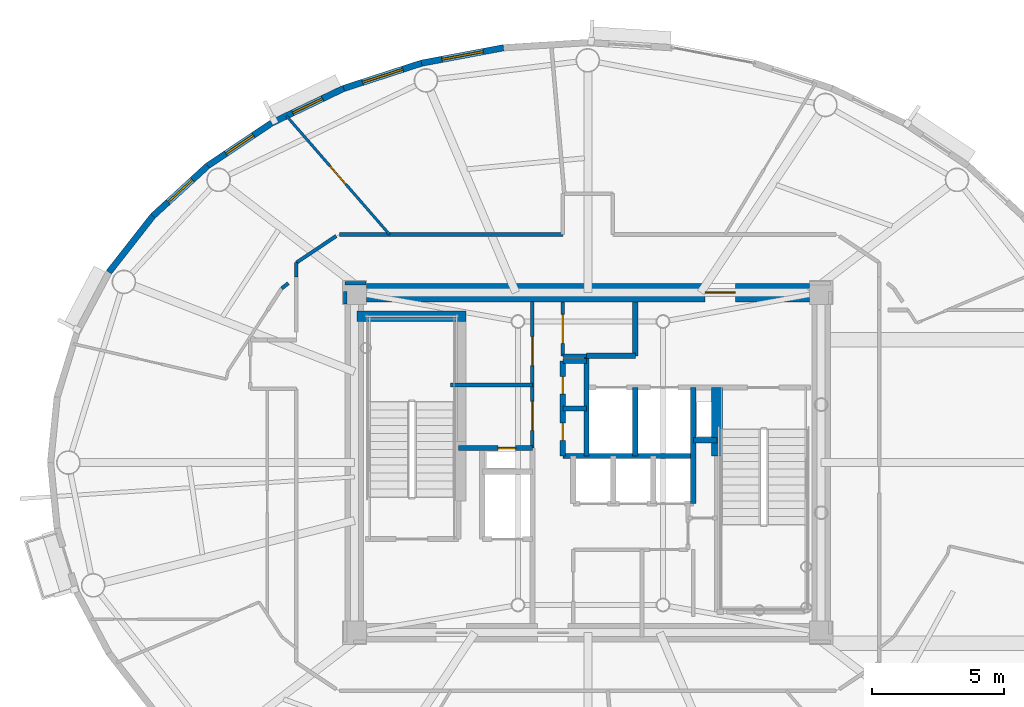
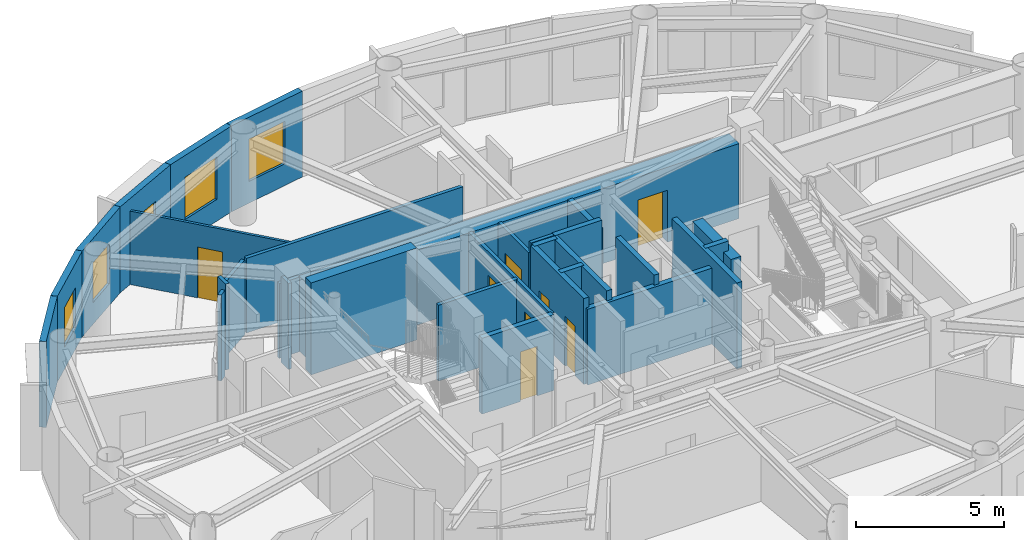
# One storey, part 10 of 19: 31 walls, 8 doors, 5 windows, 13 openings.
"""IFC4 building model written with IfcOpenShell, lengths in metres."""

from ifc_helpers import new_model, si_unit, direction, frame, frame_2d, origin, origin_2d, place, context, subcontext, project, spatial, rectangle, extrude, source, transform, mapped, material, layer, layer_set, type_object, element, fill, save


model = new_model("IFC4")

# Units and contexts
model_context = context("Model", 3, precision=1e-05, world=origin(), true_north=direction((0.0, 1.0)))
body_context = subcontext(model_context, "Body", "Model", "MODEL_VIEW")
ifc_project = project(units=[si_unit("LENGTHUNIT", "METRE"), si_unit("AREAUNIT", "SQUARE_METRE"), si_unit("VOLUMEUNIT", "CUBIC_METRE"), si_unit("PLANEANGLEUNIT", "RADIAN"), si_unit("MASSUNIT", "GRAM", prefix="KILO")], contexts=[model_context])

# Site, building, storey
site_placement = place(None, origin())
site = spatial("IfcSite", under=ifc_project, at=site_placement, CompositionType="ELEMENT")
building_placement = place(site_placement, origin())
building = spatial("IfcBuilding", under=site, at=building_placement, Name="Linh Dai School and Residence Tower", CompositionType="ELEMENT")
storey_placement = place(building_placement, frame((0.0, 0.0, 339.199951171875)))
storey = spatial("IfcBuildingStorey", under=building, at=storey_placement, Name="L84", CompositionType="ELEMENT", Elevation=339.199951171875)

# Wall, opening, window
ifc_material_1 = material(Name="Precast Concrete B45 (C35/45)", Category="concrete")
ifc_layer_1 = layer(ifc_material_1, 0.239990234375)
ifc_layer_set_1 = layer_set([ifc_layer_1], Name="Precast Concrete B45 (C35/45)")
wall_type_1 = type_object("IfcWallType", Name="EW-TC-240", PredefinedType="SOLIDWALL", material=ifc_layer_set_1)
wall_1_placement = place(storey_placement, frame((29.696044921875, 42.14794921875, 0.0), z_axis=(0.0, 0.0, 1.0), x_axis=(0.98276643264, 0.184851667226, 0.0)))
wall_1 = element("IfcWall", 1, at=wall_1_placement, inside=storey, type_object=wall_type_1, Name="L84 Terracotta Exterior Wall 12", PredefinedType="SOLIDWALL", context=body_context, shape_type="SweptSolid", body=[
    extrude(rectangle(XDim=3.167236328125, YDim=0.239990234375, at=frame_2d((1.58349609375, 0.0))), origin(), (0.0, 0.0, 1.0), 3.550048828125),
])
opening_1_placement = place(wall_1_placement, frame((0.78369140625, 0.0, 0.89990234375)))
opening_1 = element("IfcOpeningElement", 2, at=opening_1_placement, cuts=wall_1, Name="Opening W2", PredefinedType="OPENING", context=body_context, shape_type="SweptSolid", body=[
    extrude(rectangle(XDim=1.60009765625, YDim=1.75, at=origin_2d()), frame((0.800048828125, 0.1298828125, 0.875), z_axis=(0.0, -1.0, 0.0), x_axis=(1.0, 0.0, 0.0)), (0.0, 0.0, 1.0), 0.260009765625),
])
ifc_material_2 = material(Name="Double Low-E Insulated Glazing", Category="glass")
window_type_1 = type_object("IfcWindowType", Name="WN-RES-1600x1750", PartitioningType="DOUBLE_PANEL_VERTICAL", PredefinedType="WINDOW", material=ifc_material_2)
shared_shape_1 = source(origin(), body_context, "Body", "SweptSolid", [
    extrude(rectangle(XDim=1.60009765625, YDim=1.75, at=origin_2d()), frame((0.800048828125, 0.030029296875, 0.875), z_axis=(0.0, -1.0, 0.0), x_axis=(1.0, 0.0, 0.0)), (0.0, 0.0, 1.0), 0.06005859375),
])
window_1_placement = place(opening_1_placement, origin())
window_1 = element("IfcWindow", 3, at=window_1_placement, inside=storey, type_object=window_type_1, Name="L84 Exterior Window 12.1", OverallHeight=1.75, OverallWidth=1.60009765625, PartitioningType="DOUBLE_PANEL_VERTICAL", PredefinedType="WINDOW", context=body_context, shape_type="MappedRepresentation", body=[
    mapped(shared_shape_1, transform((0.0, 0.0, 0.0), x_axis=(1.0, 0.0, 0.0), y_axis=(0.0, 1.0, 0.0), z_axis=(0.0, 0.0, 1.0), scale=1.0)),
])
fill(opening_1, window_1)

wall_2_placement = place(storey_placement, frame((26.739501953125, 41.18896484375, 0.0), z_axis=(0.0, 0.0, 1.0), x_axis=(0.951212850731, 0.308535431682, 0.0)))
wall_2 = element("IfcWall", 4, at=wall_2_placement, inside=storey, type_object=wall_type_1, Name="L84 Terracotta Exterior Wall 13", PredefinedType="SOLIDWALL", context=body_context, shape_type="SweptSolid", body=[
    extrude(rectangle(XDim=3.108154296875, YDim=0.239990234375, at=frame_2d((1.55419921875, 0.0))), origin(), (0.0, 0.0, 1.0), 3.550048828125),
])
opening_2_placement = place(wall_2_placement, frame((0.754150390625, 0.0, 0.89990234375)))
opening_2 = element("IfcOpeningElement", 5, at=opening_2_placement, cuts=wall_2, Name="Opening W2", PredefinedType="OPENING", context=body_context, shape_type="SweptSolid", body=[
    extrude(rectangle(XDim=1.60009765625, YDim=1.75, at=origin_2d()), frame((0.800048828125, 0.1298828125, 0.875), z_axis=(0.0, -1.0, 0.0), x_axis=(1.0, 0.0, 0.0)), (0.0, 0.0, 1.0), 0.260009765625),
])
window_2_placement = place(opening_2_placement, origin())
window_2 = element("IfcWindow", 6, at=window_2_placement, inside=storey, type_object=window_type_1, Name="L84 Exterior Window 13.1", OverallHeight=1.75, OverallWidth=1.60009765625, PartitioningType="DOUBLE_PANEL_VERTICAL", PredefinedType="WINDOW", context=body_context, shape_type="MappedRepresentation", body=[
    mapped(shared_shape_1, transform((0.0, 0.0, 0.0), x_axis=(1.0, 0.0, 0.0), y_axis=(0.0, 1.0, 0.0), z_axis=(0.0, 0.0, 1.0), scale=1.0)),
])
fill(opening_2, window_2)

wall_3_placement = place(storey_placement, frame((24.01220703125, 39.880126953125, 0.0), z_axis=(0.0, 0.0, 1.0), x_axis=(0.901557057889, 0.432660226241, 0.0)))
wall_3 = element("IfcWall", 7, at=wall_3_placement, inside=storey, type_object=wall_type_1, Name="L84 Terracotta Exterior Wall 14", PredefinedType="SOLIDWALL", context=body_context, shape_type="SweptSolid", body=[
    extrude(rectangle(XDim=3.025146484375, YDim=0.239990234375, at=frame_2d((1.5126953125, 0.0))), origin(), (0.0, 0.0, 1.0), 3.550048828125),
])
opening_3_placement = place(wall_3_placement, frame((0.8876953125, 0.0, 0.89990234375)))
opening_3 = element("IfcOpeningElement", 8, at=opening_3_placement, cuts=wall_3, Name="Opening W3", PredefinedType="OPENING", context=body_context, shape_type="SweptSolid", body=[
    extrude(rectangle(XDim=1.25, YDim=1.64990234375, at=origin_2d()), frame((0.625, 0.1298828125, 0.824951171875), z_axis=(0.0, -1.0, 0.0), x_axis=(1.0, 0.0, 0.0)), (0.0, 0.0, 1.0), 0.260009765625),
])
window_type_2 = type_object("IfcWindowType", Name="WN-RES-1250x1650", PartitioningType="SINGLE_PANEL", PredefinedType="WINDOW", material=ifc_material_2)
shared_shape_2 = source(origin(), body_context, "Body", "SweptSolid", [
    extrude(rectangle(XDim=1.25, YDim=1.64990234375, at=origin_2d()), frame((0.625, 0.030029296875, 0.824951171875), z_axis=(0.0, -1.0, 0.0), x_axis=(1.0, 0.0, 0.0)), (0.0, 0.0, 1.0), 0.06005859375),
])
window_3_placement = place(opening_3_placement, origin())
window_3 = element("IfcWindow", 9, at=window_3_placement, inside=storey, type_object=window_type_2, Name="L84 Exterior Window 14.1", OverallHeight=1.64990234375, OverallWidth=1.25, PartitioningType="SINGLE_PANEL", PredefinedType="WINDOW", context=body_context, shape_type="MappedRepresentation", body=[
    mapped(shared_shape_2, transform((0.0, 0.0, 0.0), x_axis=(1.0, 0.0, 0.0), y_axis=(0.0, 1.0, 0.0), z_axis=(0.0, 0.0, 1.0), scale=1.0)),
])
fill(opening_3, window_3)

wall_4_placement = place(storey_placement, frame((21.581298828125, 38.254150390625, 0.0), z_axis=(0.0, 0.0, 1.0), x_axis=(0.831201688654, 0.555970999944, 0.0)))
wall_4 = element("IfcWall", 10, at=wall_4_placement, inside=storey, type_object=wall_type_1, Name="L84 Terracotta Exterior Wall 15", PredefinedType="SOLIDWALL", context=body_context, shape_type="SweptSolid", body=[
    extrude(rectangle(XDim=2.924560546875, YDim=0.239990234375, at=frame_2d((1.46240234375, 0.0))), origin(), (0.0, 0.0, 1.0), 3.550048828125),
])
opening_4_placement = place(wall_4_placement, frame((0.83740234375, 0.0, 0.89990234375)))
opening_4 = element("IfcOpeningElement", 11, at=opening_4_placement, cuts=wall_4, Name="Opening W3", PredefinedType="OPENING", context=body_context, shape_type="SweptSolid", body=[
    extrude(rectangle(XDim=1.25, YDim=1.64990234375, at=origin_2d()), frame((0.625, 0.1298828125, 0.824951171875), z_axis=(0.0, -1.0, 0.0), x_axis=(1.0, 0.0, 0.0)), (0.0, 0.0, 1.0), 0.260009765625),
])
window_4_placement = place(opening_4_placement, origin())
window_4 = element("IfcWindow", 12, at=window_4_placement, inside=storey, type_object=window_type_2, Name="L84 Exterior Window 15.1", OverallHeight=1.64990234375, OverallWidth=1.25, PartitioningType="SINGLE_PANEL", PredefinedType="WINDOW", context=body_context, shape_type="MappedRepresentation", body=[
    mapped(shared_shape_2, transform((0.0, 0.0, 0.0), x_axis=(1.0, 0.0, 0.0), y_axis=(0.0, 1.0, 0.0), z_axis=(0.0, 0.0, 1.0), scale=1.0)),
])
fill(opening_4, window_4)

wall_5_placement = place(storey_placement, frame((19.5068359375, 36.351806640625, 0.0), z_axis=(0.0, 0.0, 1.0), x_axis=(0.737020907932, 0.675869944051, 0.0)))
wall_5 = element("IfcWall", 13, at=wall_5_placement, inside=storey, type_object=wall_type_1, Name="L84 Terracotta Exterior Wall 16", PredefinedType="SOLIDWALL", context=body_context, shape_type="SweptSolid", body=[
    extrude(rectangle(XDim=2.814697265625, YDim=0.239990234375, at=frame_2d((1.4072265625, 0.0))), origin(), (0.0, 0.0, 1.0), 3.550048828125),
])
opening_5_placement = place(wall_5_placement, frame((0.78271484375, 0.0, 0.89990234375)))
opening_5 = element("IfcOpeningElement", 14, at=opening_5_placement, cuts=wall_5, Name="Opening W3", PredefinedType="OPENING", context=body_context, shape_type="SweptSolid", body=[
    extrude(rectangle(XDim=1.25, YDim=1.64990234375, at=origin_2d()), frame((0.625, 0.1298828125, 0.824951171875), z_axis=(0.0, -1.0, 0.0), x_axis=(1.0, 0.0, 0.0)), (0.0, 0.0, 1.0), 0.260009765625),
])
window_5_placement = place(opening_5_placement, origin())
window_5 = element("IfcWindow", 15, at=window_5_placement, inside=storey, type_object=window_type_2, Name="L84 Exterior Window 16.1", OverallHeight=1.64990234375, OverallWidth=1.25, PartitioningType="SINGLE_PANEL", PredefinedType="WINDOW", context=body_context, shape_type="MappedRepresentation", body=[
    mapped(shared_shape_2, transform((0.0, 0.0, 0.0), x_axis=(1.0, 0.0, 0.0), y_axis=(0.0, 1.0, 0.0), z_axis=(0.0, 0.0, 1.0), scale=1.0)),
])
fill(opening_5, window_5)

# Walls
wall_6_placement = place(storey_placement, frame((17.839111328125, 34.220703125, 0.0), z_axis=(0.0, 0.0, 1.0), x_axis=(0.616286367698, 0.78752213492, 0.0)))
element("IfcWall", 16, at=wall_6_placement, inside=storey, type_object=wall_type_1, Name="L84 Terracotta Exterior Wall 17", PredefinedType="SOLIDWALL", context=body_context, shape_type="SweptSolid", body=[
    extrude(rectangle(XDim=2.7060546875, YDim=0.239990234375, at=frame_2d((1.35302734375, 0.0))), origin(), (0.0, 0.0, 1.0), 3.550048828125),
])
ifc_material_3 = material(Name="Autoclaved Aerated Concrete Blockwork", Category="masonry")
ifc_layer_2 = layer(ifc_material_3, 0.135009765625)
ifc_layer_set_2 = layer_set([ifc_layer_2], Name="Autoclaved Aerated Concrete Blockwork")
wall_type_2 = type_object("IfcWallType", Name="IW-CORR-135-EI90", PredefinedType="PARTITIONING", material=ifc_layer_set_2)
wall_7_placement = place(storey_placement, frame((24.949951171875, 34.0439453125, 0.0), z_axis=(0.0, 0.0, 1.0), x_axis=(0.0, 1.0, 0.0)))
element("IfcWall", 17, at=wall_7_placement, inside=storey, type_object=wall_type_2, Name="L84 Interior Partition Wall 015", PredefinedType="PARTITIONING", context=body_context, shape_type="SweptSolid", body=[
    extrude(rectangle(XDim=0.53857421875, YDim=0.135009765625, at=frame_2d((0.269287109375, 0.0))), origin(), (0.0, 0.0, 1.0), 3.550048828125),
])
wall_8_placement = place(storey_placement, frame((24.949951171875, 34.58251953125, 0.0), z_axis=(0.0, 0.0, 1.0), x_axis=(0.831180227396, 0.556003084151, 0.0)))
element("IfcWall", 18, at=wall_8_placement, inside=storey, type_object=wall_type_2, Name="L84 Interior Partition Wall 016", PredefinedType="PARTITIONING", context=body_context, shape_type="SweptSolid", body=[
    extrude(rectangle(XDim=1.815185546875, YDim=0.135009765625, at=frame_2d((0.90771484375, 0.0))), origin(), (0.0, 0.0, 1.0), 3.0849609375),
])
wall_9_placement = place(storey_placement, frame((26.580078125, 35.64990234375, 0.0), z_axis=(0.0, 0.0, 1.0), x_axis=(1.0, 0.0, 0.0)))
element("IfcWall", 19, at=wall_9_placement, inside=storey, type_object=wall_type_2, Name="L84 Interior Partition Wall 018", PredefinedType="PARTITIONING", context=body_context, shape_type="SweptSolid", body=[
    extrude(rectangle(XDim=8.469970703125, YDim=0.135009765625, at=frame_2d((4.23486328125, 0.0))), origin(), (0.0, 0.0, 1.0), 3.0849609375),
])

# Wall, openings, doors
wall_10_placement = place(storey_placement, frame((33.89990234375, 27.56005859375, 0.0), z_axis=(0.0, 0.0, 1.0), x_axis=(0.0, 1.0, 0.0)))
wall_10 = element("IfcWall", 20, at=wall_10_placement, inside=storey, type_object=wall_type_2, Name="L84 Interior Partition Wall 028", PredefinedType="PARTITIONING", context=body_context, shape_type="SweptSolid", body=[
    extrude(rectangle(XDim=5.5400390625, YDim=0.135009765625, at=frame_2d((2.77001953125, 0.0))), origin(), (0.0, 0.0, 1.0), 3.135009765625),
])
opening_6_placement = place(wall_10_placement, frame((0.6650390625, 0.0, 0.0)))
opening_6 = element("IfcOpeningElement", 21, at=opening_6_placement, cuts=wall_10, Name="Opening D07", PredefinedType="OPENING", context=body_context, shape_type="SweptSolid", body=[
    extrude(rectangle(XDim=1.10009765625, YDim=2.14990234375, at=origin_2d()), frame((0.550048828125, 0.07763671875, 1.074951171875), z_axis=(0.0, -1.0, 0.0), x_axis=(1.0, 0.0, 0.0)), (0.0, 0.0, 1.0), 0.155029296875),
])
opening_7_placement = place(wall_10_placement, frame((3.117431640625, 0.0, 0.0)))
opening_7 = element("IfcOpeningElement", 22, at=opening_7_placement, cuts=wall_10, Name="Opening D07", PredefinedType="OPENING", context=body_context, shape_type="SweptSolid", body=[
    extrude(rectangle(XDim=1.10009765625, YDim=2.14990234375, at=origin_2d()), frame((0.550048828125, 0.07763671875, 1.074951171875), z_axis=(0.0, -1.0, 0.0), x_axis=(1.0, 0.0, 0.0)), (0.0, 0.0, 1.0), 0.155029296875),
])
ifc_material_4 = material(Name="Fire-Rated Louvred Steel Plant Door", Category="steel")
door_type_1 = type_object("IfcDoorType", Name="DR-PLT-1100x2150-FD60S", OperationType="NOTDEFINED", PredefinedType="DOOR", material=ifc_material_4)
shared_shape_3 = source(origin(), body_context, "Body", "SweptSolid", [
    extrude(rectangle(XDim=1.10009765625, YDim=2.14990234375, at=origin_2d()), frame((0.550048828125, 0.02490234375, 1.074951171875), z_axis=(0.0, -1.0, 0.0), x_axis=(1.0, 0.0, 0.0)), (0.0, 0.0, 1.0), 0.050048828125),
])
door_1_placement = place(opening_6_placement, origin())
door_1 = element("IfcDoor", 23, at=door_1_placement, inside=storey, type_object=door_type_1, Name="L84 BMS and Data Room Door", OperationType="SINGLE_SWING_RIGHT", OverallHeight=2.14990234375, OverallWidth=1.10009765625, PredefinedType="DOOR", context=body_context, shape_type="MappedRepresentation", body=[
    mapped(shared_shape_3, transform((0.0, 0.0, 0.0), x_axis=(1.0, 0.0, 0.0), y_axis=(0.0, 1.0, 0.0), z_axis=(0.0, 0.0, 1.0), scale=1.0)),
])
fill(opening_6, door_1)
door_2_placement = place(opening_7_placement, origin())
door_2 = element("IfcDoor", 24, at=door_2_placement, inside=storey, type_object=door_type_1, Name="L84 Housekeeping Linen Room Door", OperationType="SINGLE_SWING_LEFT", OverallHeight=2.14990234375, OverallWidth=1.10009765625, PredefinedType="DOOR", context=body_context, shape_type="MappedRepresentation", body=[
    mapped(shared_shape_3, transform((0.0, 0.0, 0.0), x_axis=(1.0, 0.0, 0.0), y_axis=(0.0, 1.0, 0.0), z_axis=(0.0, 0.0, 1.0), scale=1.0)),
])
fill(opening_7, door_2)

# Wall, opening, door
wall_11_placement = place(storey_placement, frame((35.050048828125, 31.050048828125, 0.0), z_axis=(0.0, 0.0, 1.0), x_axis=(0.0, 1.0, 0.0)))
wall_11 = element("IfcWall", 25, at=wall_11_placement, inside=storey, type_object=wall_type_2, Name="L84 Interior Partition Wall 034", PredefinedType="PARTITIONING", context=body_context, shape_type="SweptSolid", body=[
    extrude(rectangle(XDim=2.050048828125, YDim=0.135009765625, at=frame_2d((1.02490234375, 0.0))), origin(), (0.0, 0.0, 1.0), 3.135009765625),
])
opening_8_placement = place(wall_11_placement, frame((0.47509765625, 0.0, 0.0)))
opening_8 = element("IfcOpeningElement", 26, at=opening_8_placement, cuts=wall_11, Name="Opening D07", PredefinedType="OPENING", context=body_context, shape_type="SweptSolid", body=[
    extrude(rectangle(XDim=1.10009765625, YDim=2.14990234375, at=origin_2d()), frame((0.550048828125, 0.07763671875, 1.074951171875), z_axis=(0.0, -1.0, 0.0), x_axis=(1.0, 0.0, 0.0)), (0.0, 0.0, 1.0), 0.155029296875),
])
door_3_placement = place(opening_8_placement, origin())
door_3 = element("IfcDoor", 27, at=door_3_placement, inside=storey, type_object=door_type_1, Name="L84 North Telecom Switchroom Door", OperationType="SINGLE_SWING_RIGHT", OverallHeight=2.14990234375, OverallWidth=1.10009765625, PredefinedType="DOOR", context=body_context, shape_type="MappedRepresentation", body=[
    mapped(shared_shape_3, transform((0.0, 0.0, 0.0), x_axis=(1.0, 0.0, 0.0), y_axis=(0.0, 1.0, 0.0), z_axis=(0.0, 0.0, 1.0), scale=1.0)),
])
fill(opening_8, door_3)

# Walls
wall_12_placement = place(storey_placement, frame((35.050048828125, 31.050048828125, 0.0), z_axis=(0.0, 0.0, 1.0), x_axis=(1.0, 0.0, 0.0)))
element("IfcWall", 28, at=wall_12_placement, inside=storey, type_object=wall_type_2, Name="L84 Interior Partition Wall 035", PredefinedType="PARTITIONING", context=body_context, shape_type="SweptSolid", body=[
    extrude(rectangle(XDim=0.89990234375, YDim=0.135009765625, at=frame_2d((0.449951171875, 0.0))), origin(), (0.0, 0.0, 1.0), 3.550048828125),
])
wall_13_placement = place(storey_placement, frame((27.590087890625, 33.800048828125, 0.0), z_axis=(0.0, 0.0, 1.0), x_axis=(-1.0, 0.0, 0.0)))
element("IfcWall", 29, at=wall_13_placement, inside=storey, type_object=wall_type_2, Name="L84 Interior Partition Wall 079", PredefinedType="PARTITIONING", context=body_context, shape_type="SweptSolid", body=[
    extrude(rectangle(XDim=0.7900390625, YDim=0.135009765625, at=frame_2d((0.39501953125, 0.0))), origin(), (0.0, 0.0, 1.0), 3.0849609375),
])
wall_14_placement = place(storey_placement, frame((26.800048828125, 33.492431640625, 0.0), z_axis=(0.0, 0.0, 1.0), x_axis=(0.0, -1.0, 0.0)))
element("IfcWall", 30, at=wall_14_placement, inside=storey, type_object=wall_type_2, Name="L84 Interior Partition Wall 080", PredefinedType="PARTITIONING", context=body_context, shape_type="SweptSolid", body=[
    extrude(rectangle(XDim=0.482421875, YDim=0.135009765625, at=frame_2d((0.2412109375, 0.0))), origin(), (0.0, 0.0, 1.0), 3.550048828125),
])
wall_15_placement = place(storey_placement, frame((24.642578125, 33.802978515625, 0.0), z_axis=(0.0, 0.0, 1.0), x_axis=(-0.787376183758, -0.616472826043, 0.0)))
element("IfcWall", 31, at=wall_15_placement, inside=storey, type_object=wall_type_2, Name="L84 Interior Partition Wall 086", PredefinedType="PARTITIONING", context=body_context, shape_type="SweptSolid", body=[
    extrude(rectangle(XDim=0.320068359375, YDim=0.135009765625, at=frame_2d((0.16015625, 0.0))), origin(), (0.0, 0.0, 1.0), 3.550048828125),
])
ifc_layer_3 = layer(ifc_material_3, 0.14990234375)
ifc_layer_set_3 = layer_set([ifc_layer_3], Name="Autoclaved Aerated Concrete Blockwork")
wall_type_3 = type_object("IfcWallType", Name="IW-SCH-150-EI60", PredefinedType="PARTITIONING", material=ifc_layer_set_3)
wall_16_placement = place(storey_placement, frame((30.800048828125, 29.949951171875, 0.0), z_axis=(0.0, 0.0, 1.0), x_axis=(1.0, 0.0, 0.0)))
element("IfcWall", 32, at=wall_16_placement, inside=storey, type_object=wall_type_3, Name="L84 Interior Partition Wall 021", PredefinedType="PARTITIONING", context=body_context, shape_type="SweptSolid", body=[
    extrude(rectangle(XDim=3.099853515625, YDim=0.14990234375, at=frame_2d((1.5498046875, 0.0))), origin(), (0.0, 0.0, 1.0), 3.135009765625),
])

# Wall, opening, door
ifc_material_5 = material(Name="Concrete B45 (C35/45)", Category="concrete")
ifc_layer_4 = layer(ifc_material_5, 0.199951171875)
ifc_layer_set_4 = layer_set([ifc_layer_4], Name="Concrete B45 (C35/45)")
wall_type_4 = type_object("IfcWallType", Name="IW-SHAFT-200-EI120", PredefinedType="PARTITIONING", material=ifc_layer_set_4)
wall_17_placement = place(storey_placement, frame((31.10009765625, 27.550048828125, 0.0), z_axis=(0.0, 0.0, 1.0), x_axis=(1.0, 0.0, 0.0)))
wall_17 = element("IfcWall", 33, at=wall_17_placement, inside=storey, type_object=wall_type_4, Name="L84 Interior Partition Wall 023", PredefinedType="PARTITIONING", context=body_context, shape_type="SweptSolid", body=[
    extrude(rectangle(XDim=2.7998046875, YDim=0.199951171875, at=frame_2d((1.39990234375, 0.0))), origin(), (0.0, 0.0, 1.0), 3.135009765625),
])
opening_9_placement = place(wall_17_placement, frame((1.5, 0.0, 0.0)))
opening_9 = element("IfcOpeningElement", 34, at=opening_9_placement, cuts=wall_17, Name="Opening AD1", PredefinedType="OPENING", context=body_context, shape_type="SweptSolid", body=[
    extrude(rectangle(XDim=0.659912109375, YDim=2.050048828125, at=origin_2d()), frame((0.330078125, 0.10986328125, 1.02490234375), z_axis=(0.0, -1.0, 0.0), x_axis=(1.0, 0.0, 0.0)), (0.0, 0.0, 1.0), 0.219970703125),
])
ifc_material_6 = material(Name="Fire-Rated Steel Riser Access Door", Category="steel")
door_type_2 = type_object("IfcDoorType", Name="DR-ACC-660x2050-FD90S", OperationType="NOTDEFINED", PredefinedType="USERDEFINED", material=ifc_material_6)
shared_shape_4 = source(origin(), body_context, "Body", "SweptSolid", [
    extrude(rectangle(XDim=0.659912109375, YDim=2.050048828125, at=origin_2d()), frame((0.330078125, 0.02490234375, 1.02490234375), z_axis=(0.0, -1.0, 0.0), x_axis=(1.0, 0.0, 0.0)), (0.0, 0.0, 1.0), 0.050048828125),
])
door_4_placement = place(opening_9_placement, origin())
door_4 = element("IfcDoor", 35, at=door_4_placement, inside=storey, type_object=door_type_2, Name="L84 Main Electrical Riser Access Door", ObjectType="ACCESS DOOR", OperationType="SINGLE_SWING_LEFT", OverallHeight=2.050048828125, OverallWidth=0.659912109375, PredefinedType="USERDEFINED", context=body_context, shape_type="MappedRepresentation", body=[
    mapped(shared_shape_4, transform((0.0, 0.0, 0.0), x_axis=(1.0, 0.0, 0.0), y_axis=(0.0, 1.0, 0.0), z_axis=(0.0, 0.0, 1.0), scale=1.0)),
])
fill(opening_9, door_4)

# Wall, openings, doors
wall_18_placement = place(storey_placement, frame((35.050048828125, 27.25, 0.0), z_axis=(0.0, 0.0, 1.0), x_axis=(0.0, 1.0, 0.0)))
wall_18 = element("IfcWall", 36, at=wall_18_placement, inside=storey, type_object=wall_type_4, Name="L84 Interior Partition Wall 030", PredefinedType="PARTITIONING", context=body_context, shape_type="SweptSolid", body=[
    extrude(rectangle(XDim=3.60009765625, YDim=0.199951171875, at=frame_2d((1.800048828125, 0.0))), origin(), (0.0, 0.0, 1.0), 3.550048828125),
])
opening_10_placement = place(wall_18_placement, frame((0.590087890625, 0.0, 0.0)))
opening_10 = element("IfcOpeningElement", 37, at=opening_10_placement, cuts=wall_18, Name="Opening AD1", PredefinedType="OPENING", context=body_context, shape_type="SweptSolid", body=[
    extrude(rectangle(XDim=0.659912109375, YDim=2.050048828125, at=origin_2d()), frame((0.330078125, 0.10986328125, 1.02490234375), z_axis=(0.0, -1.0, 0.0), x_axis=(1.0, 0.0, 0.0)), (0.0, 0.0, 1.0), 0.219970703125),
])
opening_11_placement = place(wall_18_placement, frame((2.35009765625, 0.0, 0.0)))
opening_11 = element("IfcOpeningElement", 38, at=opening_11_placement, cuts=wall_18, Name="Opening AD1", PredefinedType="OPENING", context=body_context, shape_type="SweptSolid", body=[
    extrude(rectangle(XDim=0.659912109375, YDim=2.050048828125, at=origin_2d()), frame((0.330078125, 0.10986328125, 1.02490234375), z_axis=(0.0, -1.0, 0.0), x_axis=(1.0, 0.0, 0.0)), (0.0, 0.0, 1.0), 0.219970703125),
])
door_5_placement = place(opening_10_placement, origin())
door_5 = element("IfcDoor", 39, at=door_5_placement, inside=storey, type_object=door_type_2, Name="L84 Telecom and Data Riser Access Door", ObjectType="ACCESS DOOR", OperationType="SINGLE_SWING_RIGHT", OverallHeight=2.050048828125, OverallWidth=0.659912109375, PredefinedType="USERDEFINED", context=body_context, shape_type="MappedRepresentation", body=[
    mapped(shared_shape_4, transform((0.0, 0.0, 0.0), x_axis=(1.0, 0.0, 0.0), y_axis=(0.0, 1.0, 0.0), z_axis=(0.0, 0.0, 1.0), scale=1.0)),
])
fill(opening_10, door_5)
door_6_placement = place(opening_11_placement, origin())
door_6 = element("IfcDoor", 40, at=door_6_placement, inside=storey, type_object=door_type_2, Name="L84 Mechanical and Plumbing Riser Access Door", ObjectType="ACCESS DOOR", OperationType="SINGLE_SWING_LEFT", OverallHeight=2.050048828125, OverallWidth=0.659912109375, PredefinedType="USERDEFINED", context=body_context, shape_type="MappedRepresentation", body=[
    mapped(shared_shape_4, transform((0.0, 0.0, 0.0), x_axis=(1.0, 0.0, 0.0), y_axis=(0.0, 1.0, 0.0), z_axis=(0.0, 0.0, 1.0), scale=1.0)),
])
fill(opening_11, door_6)

# Walls
wall_19_placement = place(storey_placement, frame((35.050048828125, 27.25, 0.0), z_axis=(0.0, 0.0, 1.0), x_axis=(1.0, 0.0, 0.0)))
element("IfcWall", 41, at=wall_19_placement, inside=storey, type_object=wall_type_4, Name="L84 Interior Partition Wall 031", PredefinedType="PARTITIONING", context=body_context, shape_type="SweptSolid", body=[
    extrude(rectangle(XDim=4.949951171875, YDim=0.199951171875, at=frame_2d((2.47509765625, 0.0))), origin(), (0.0, 0.0, 1.0), 3.135009765625),
])
for number, where, z_axis, x_axis, name in (
    (42, (35.050048828125, 29.050048828125, 0.0), (0.0, 0.0, 1.0), (1.0, 0.0, 0.0), "L84 Interior Partition Wall 032"),
    (43, (35.050048828125, 30.85009765625, 0.0), (0.0, 0.0, 1.0), (1.0, 0.0, 0.0), "L84 Interior Partition Wall 033"),
):
    element("IfcWall", number, at=place(storey_placement, frame(where, z_axis=z_axis, x_axis=x_axis)), inside=storey, type_object=wall_type_4, Name=name, PredefinedType="PARTITIONING", context=body_context, shape_type="SweptSolid", body=[
        extrude(rectangle(XDim=0.89990234375, YDim=0.199951171875, at=frame_2d((0.449951171875, 0.0))), origin(), (0.0, 0.0, 1.0), 3.550048828125),
    ])
wall_20_placement = place(storey_placement, frame((35.949951171875, 27.25, 0.0), z_axis=(0.0, 0.0, 1.0), x_axis=(0.0, 1.0, 0.0)))
element("IfcWall", 44, at=wall_20_placement, inside=storey, type_object=wall_type_4, Name="L84 Interior Partition Wall 042", PredefinedType="PARTITIONING", context=body_context, shape_type="SweptSolid", body=[
    extrude(rectangle(XDim=3.800048828125, YDim=0.199951171875, at=frame_2d((1.89990234375, 0.0))), origin(), (0.0, 0.0, 1.0), 3.550048828125),
])
wall_21_placement = place(storey_placement, frame((35.9599609375, 31.050048828125, 0.0), z_axis=(0.0, 0.0, 1.0), x_axis=(1.0, 0.0, 0.0)))
element("IfcWall", 45, at=wall_21_placement, inside=storey, type_object=wall_type_4, Name="L84 Interior Partition Wall 044", PredefinedType="PARTITIONING", context=body_context, shape_type="SweptSolid", body=[
    extrude(rectangle(XDim=1.840087890625, YDim=0.199951171875, at=frame_2d((0.919921875, 0.0))), origin(), (0.0, 0.0, 1.0), 3.550048828125),
])
wall_22_placement = place(storey_placement, frame((37.800048828125, 27.25, 0.0), z_axis=(0.0, 0.0, 1.0), x_axis=(0.0, 1.0, 0.0)))
element("IfcWall", 46, at=wall_22_placement, inside=storey, type_object=wall_type_4, Name="L84 Interior Partition Wall 049", PredefinedType="PARTITIONING", context=body_context, shape_type="SweptSolid", body=[
    extrude(rectangle(XDim=2.60009765625, YDim=0.199951171875, at=frame_2d((1.300048828125, 0.0))), origin(), (0.0, 0.0, 1.0), 3.550048828125),
])
wall_23_placement = place(storey_placement, frame((37.800048828125, 31.050048828125, 0.0), z_axis=(0.0, 0.0, 1.0), x_axis=(0.0, 1.0, 0.0)))
element("IfcWall", 47, at=wall_23_placement, inside=storey, type_object=wall_type_4, Name="L84 Interior Partition Wall 050", PredefinedType="PARTITIONING", context=body_context, shape_type="SweptSolid", body=[
    extrude(rectangle(XDim=2.050048828125, YDim=0.199951171875, at=frame_2d((1.02490234375, 0.0))), origin(), (0.0, 0.0, 1.0), 3.135009765625),
])
wall_24_placement = place(storey_placement, frame((40.0, 25.449951171875, 0.0), z_axis=(0.0, 0.0, 1.0), x_axis=(0.0, 1.0, 0.0)))
element("IfcWall", 48, at=wall_24_placement, inside=storey, type_object=wall_type_4, Name="L84 Interior Partition Wall 055", PredefinedType="PARTITIONING", context=body_context, shape_type="SweptSolid", body=[
    extrude(rectangle(XDim=4.400146484375, YDim=0.199951171875, at=frame_2d((2.2001953125, 0.0))), origin(), (0.0, 0.0, 1.0), 3.550048828125),
])
wall_25_placement = place(storey_placement, frame((40.0, 27.85009765625, 0.0), z_axis=(0.0, 0.0, 1.0), x_axis=(1.0, 0.0, 0.0)))
element("IfcWall", 49, at=wall_25_placement, inside=storey, type_object=wall_type_4, Name="L84 Interior Partition Wall 056", PredefinedType="PARTITIONING", context=body_context, shape_type="SweptSolid", body=[
    extrude(rectangle(XDim=0.89990234375, YDim=0.199951171875, at=frame_2d((0.449951171875, 0.0))), origin(), (0.0, 0.0, 1.0), 3.550048828125),
])

# Wall, opening, door
ifc_material_7 = material(Name="Gypsum Plasterboard Acoustic Stud Partition", Category="masonry")
ifc_layer_5 = layer(ifc_material_7, 0.10009765625)
ifc_layer_set_5 = layer_set([ifc_layer_5], Name="Gypsum Plasterboard Acoustic Stud Partition")
wall_type_5 = type_object("IfcWallType", Name="IW-UNIT-100", PredefinedType="PARTITIONING", material=ifc_layer_set_5)
wall_26_placement = place(storey_placement, frame((24.567138671875, 40.152099609375, 0.0), z_axis=(0.0, 0.0, 1.0), x_axis=(0.656046983359, -0.754720051162, 0.0)))
wall_26 = element("IfcWall", 50, at=wall_26_placement, inside=storey, type_object=wall_type_5, Name="L84 Interior Partition Wall 012", PredefinedType="PARTITIONING", context=body_context, shape_type="SweptSolid", body=[
    extrude(rectangle(XDim=5.96533203125, YDim=0.10009765625, at=frame_2d((2.982666015625, 0.0))), origin(), (0.0, 0.0, 1.0), 3.03515625),
])
opening_12_placement = place(wall_26_placement, frame((2.53271484375, 0.0, 0.0)))
opening_12 = element("IfcOpeningElement", 51, at=opening_12_placement, cuts=wall_26, Name="Opening D05", PredefinedType="OPENING", context=body_context, shape_type="SweptSolid", body=[
    extrude(rectangle(XDim=0.89990234375, YDim=2.10009765625, at=origin_2d()), frame((0.449951171875, 0.06005859375, 1.050048828125), z_axis=(0.0, -1.0, 0.0), x_axis=(1.0, 0.0, 0.0)), (0.0, 0.0, 1.0), 0.1201171875),
])
ifc_material_8 = material(Name="Engineered Timber Internal Door", Category="wood")
door_type_3 = type_object("IfcDoorType", Name="DR-INT-900x2100", OperationType="NOTDEFINED", PredefinedType="DOOR", material=ifc_material_8)
shared_shape_5 = source(origin(), body_context, "Body", "SweptSolid", [
    extrude(rectangle(XDim=0.89990234375, YDim=2.10009765625, at=origin_2d()), frame((0.449951171875, 0.02490234375, 1.050048828125), z_axis=(0.0, -1.0, 0.0), x_axis=(1.0, 0.0, 0.0)), (0.0, 0.0, 1.0), 0.050048828125),
])
door_7_placement = place(opening_12_placement, origin())
door_7 = element("IfcDoor", 52, at=door_7_placement, inside=storey, type_object=door_type_3, Name="L84 Apartment U8401 Principal Bedroom 1 Door", OperationType="SINGLE_SWING_RIGHT", OverallHeight=2.10009765625, OverallWidth=0.89990234375, PredefinedType="DOOR", context=body_context, shape_type="MappedRepresentation", body=[
    mapped(shared_shape_5, transform((0.0, 0.0, 0.0), x_axis=(1.0, 0.0, 0.0), y_axis=(0.0, 1.0, 0.0), z_axis=(0.0, 0.0, 1.0), scale=1.0)),
])
fill(opening_12, door_7)

# Walls
ifc_layer_6 = layer(ifc_material_5, 0.39990234375)
ifc_layer_set_6 = layer_set([ifc_layer_6], Name="Concrete B45 (C35/45)")
wall_type_6 = type_object("IfcWallType", Name="WL-CORE400", PredefinedType="SHEAR", material=ifc_layer_set_6)
wall_27_placement = place(storey_placement, frame((27.25, 32.550048828125, 0.0), z_axis=(0.0, 0.0, 1.0), x_axis=(1.0, 0.0, 0.0)))
element("IfcWall", 53, at=wall_27_placement, inside=storey, type_object=wall_type_6, Name="L84 Core Stair ST1 Bearing Wall N", PredefinedType="SHEAR", context=body_context, shape_type="SweptSolid", body=[
    extrude(rectangle(XDim=4.1298828125, YDim=0.39990234375, at=frame_2d((2.06494140625, 0.0))), origin(), (0.0, 0.0, 1.0), 3.800048828125),
])
wall_28_placement = place(storey_placement, frame((40.89990234375, 27.25, 0.0), z_axis=(0.0, 0.0, 1.0), x_axis=(0.0, 1.0, 0.0)))
element("IfcWall", 54, at=wall_28_placement, inside=storey, type_object=wall_type_6, Name="L84 Internal Core Shear Wall IE", PredefinedType="SHEAR", context=body_context, shape_type="SweptSolid", body=[
    extrude(rectangle(XDim=2.60009765625, YDim=0.39990234375, at=frame_2d((1.300048828125, 0.0))), origin(), (0.0, 0.0, 1.0), 3.150146484375),
])

# Wall, opening, door
ifc_layer_7 = layer(ifc_material_5, 0.699951171875)
ifc_layer_set_7 = layer_set([ifc_layer_7], Name="Concrete B45 (C35/45)")
wall_type_7 = type_object("IfcWallType", Name="WL-CORE700", PredefinedType="SHEAR", material=ifc_layer_set_7)
wall_29_placement = place(storey_placement, frame((27.60009765625, 33.449951171875, 0.0), z_axis=(0.0, 0.0, 1.0), x_axis=(1.0, 0.0, 0.0)))
wall_29 = element("IfcWall", 55, at=wall_29_placement, inside=storey, type_object=wall_type_7, Name="L84 Central Core Shear Wall N", PredefinedType="SHEAR", context=body_context, shape_type="SweptSolid", body=[
    extrude(rectangle(XDim=16.7998046875, YDim=0.699951171875, at=frame_2d((8.39990234375, 0.0))), origin(), (0.0, 0.0, 1.0), 3.10009765625),
])
opening_13_placement = place(wall_29_placement, frame((12.85009765625, 0.0, 0.0)))
opening_13 = element("IfcOpeningElement", 56, at=opening_13_placement, cuts=wall_29, Name="Opening D02", PredefinedType="OPENING", context=body_context, shape_type="SweptSolid", body=[
    extrude(rectangle(XDim=1.14990234375, YDim=2.14990234375, at=origin_2d()), frame((0.574951171875, 0.35986328125, 1.074951171875), z_axis=(0.0, -1.0, 0.0), x_axis=(1.0, 0.0, 0.0)), (0.0, 0.0, 1.0), 0.719970703125),
])
ifc_material_9 = material(Name="Fire-Rated Glazed Steel Lobby Door", Category="steel")
door_type_4 = type_object("IfcDoorType", Name="DR-LOBBY-1150x2150-FD90S", OperationType="NOTDEFINED", PredefinedType="DOOR", material=ifc_material_9)
shared_shape_6 = source(origin(), body_context, "Body", "SweptSolid", [
    extrude(rectangle(XDim=1.14990234375, YDim=2.14990234375, at=origin_2d()), frame((0.574951171875, 0.02490234375, 1.074951171875), z_axis=(0.0, -1.0, 0.0), x_axis=(1.0, 0.0, 0.0)), (0.0, 0.0, 1.0), 0.050048828125),
])
door_8_placement = place(opening_13_placement, origin())
door_8 = element("IfcDoor", 57, at=door_8_placement, inside=storey, type_object=door_type_4, Name="L84 Firefighting Lobby Door", OperationType="SINGLE_SWING_RIGHT", OverallHeight=2.14990234375, OverallWidth=1.14990234375, PredefinedType="DOOR", context=body_context, shape_type="MappedRepresentation", body=[
    mapped(shared_shape_6, transform((0.0, 0.0, 0.0), x_axis=(1.0, 0.0, 0.0), y_axis=(0.0, 1.0, 0.0), z_axis=(0.0, 0.0, 1.0), scale=1.0)),
])
fill(opening_13, door_8)

save(model, "model.ifc")
